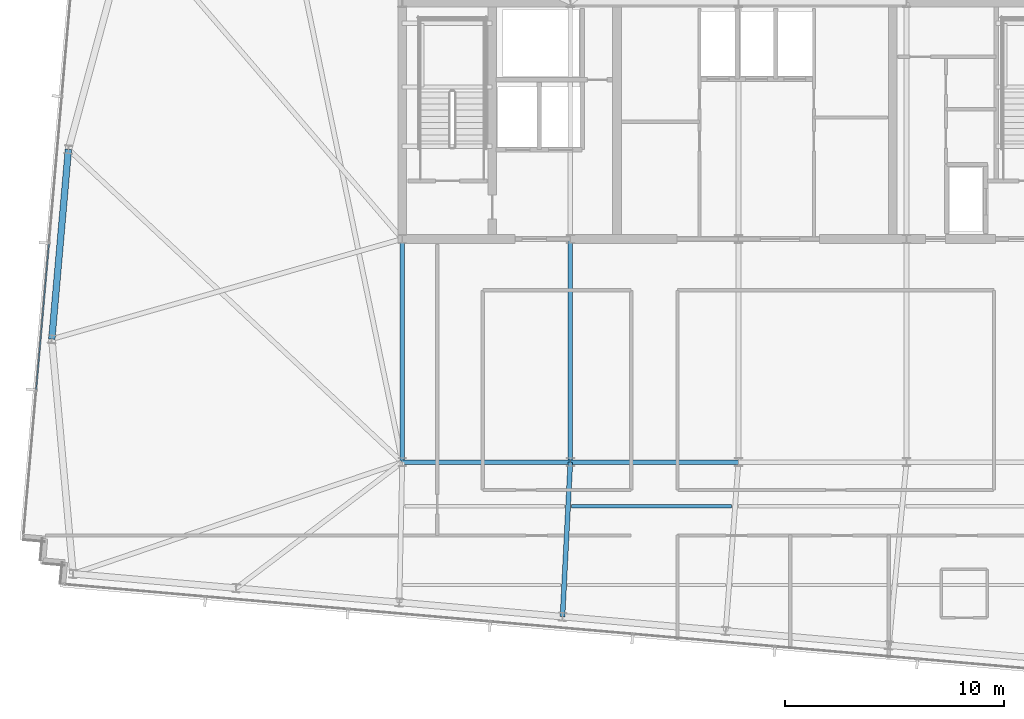
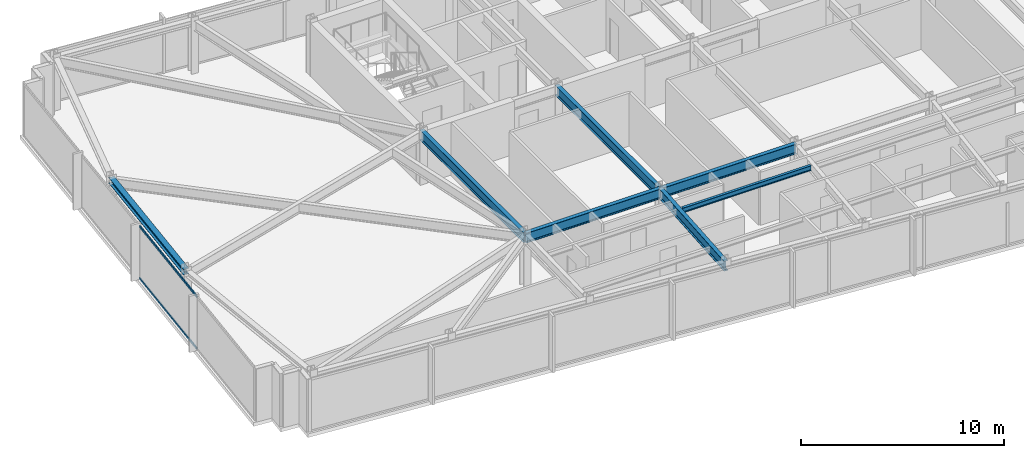
# One storey, part 8 of 32: 7 beams, 2 members, 1 element without a shape of its own.
"""IFC4 building model written with IfcOpenShell, lengths in metres."""

from ifc_helpers import new_model, si_unit, direction, frame, origin, origin_2d, place, context, subcontext, project, spatial, hollow_rectangle, i_section, extrude, material, material_profile, profile_set, type_object, element, aggregate, save


model = new_model("IFC4")

# Units and contexts
model_context = context("Model", 3, precision=1e-05, world=origin(), true_north=direction((0.0, 1.0)))
body_context = subcontext(model_context, "Body", "Model", "MODEL_VIEW")
ifc_project = project(units=[si_unit("LENGTHUNIT", "METRE"), si_unit("AREAUNIT", "SQUARE_METRE"), si_unit("VOLUMEUNIT", "CUBIC_METRE"), si_unit("PLANEANGLEUNIT", "RADIAN"), si_unit("MASSUNIT", "GRAM", prefix="KILO")], contexts=[model_context])

# Site, building, storey
site_placement = place(None, origin())
site = spatial("IfcSite", under=ifc_project, at=site_placement, CompositionType="ELEMENT")
building_placement = place(site_placement, origin())
building = spatial("IfcBuilding", under=site, at=building_placement, Name="Yelkora Congress Tower", CompositionType="ELEMENT")
storey_placement = place(building_placement, frame((0.0, 0.0, 279.5)))
storey = spatial("IfcBuildingStorey", under=building, at=storey_placement, Name="L78", CompositionType="ELEMENT", Elevation=279.5)

# Beams
ifc_material_1 = material(Name="Steel S355J2", Category="steel")
ifc_material_profile_1 = material_profile(ifc_material_1, i_section(OverallWidth=0.219970703125, OverallDepth=0.60009765625, WebThickness=0.011962890625, FlangeThickness=0.01904296875, FilletRadius=0.02392578125, at=origin_2d()), Name="IPE 600")
ifc_profile_set_1 = profile_set([ifc_material_profile_1], Name="Steel S355J2")
beam_type_1 = type_object("IfcBeamType", Name="BM-GIRD-IPE600", PredefinedType="BEAM", material=ifc_profile_set_1)
for number, where, z_axis, x_axis, name in (
    (1, (23.0400390625, 25.199951171875, 2.8798828125), (1.0, 0.0, 0.0), (0.0, 1.0, 0.0), "L78 Spine Grid D Girder 1"),
    (2, (30.719970703125, 25.199951171875, 2.8798828125), (1.0, 0.0, 0.0), (0.0, 1.0, 0.0), "L78 Spine Grid D Girder 2"),
):
    element("IfcBeam", number, at=place(storey_placement, frame(where, z_axis=z_axis, x_axis=x_axis)), inside=storey, type_object=beam_type_1, Name=name, PredefinedType="BEAM", context=body_context, shape_type="SweptSolid", body=[
        extrude(i_section(OverallWidth=0.219970703125, OverallDepth=0.60009765625, WebThickness=0.011962890625, FlangeThickness=0.01904296875, FilletRadius=0.02392578125, at=origin_2d()), origin(), (0.0, 0.0, 1.0), 7.679931640625),
    ])
for number, where, z_axis, x_axis, name in (
    (3, (23.0400390625, 25.199951171875, 2.8798828125), (0.0, 1.0, 0.0), (-1.0, 0.0, 0.0), "L78 Core Tie Girder MC-D1"),
    (4, (30.719970703125, 25.199951171875, 2.8798828125), (0.0, 1.0, 0.0), (-1.0, 0.0, 0.0), "L78 Core Tie Girder MC-D2"),
):
    element("IfcBeam", number, at=place(storey_placement, frame(where, z_axis=z_axis, x_axis=x_axis)), inside=storey, type_object=beam_type_1, Name=name, PredefinedType="BEAM", context=body_context, shape_type="SweptSolid", body=[
        extrude(i_section(OverallWidth=0.219970703125, OverallDepth=0.60009765625, WebThickness=0.011962890625, FlangeThickness=0.01904296875, FilletRadius=0.02392578125, at=origin_2d()), origin(), (0.0, 0.0, 1.0), 10.199951171875),
    ])
beam_1_placement = place(storey_placement, frame((30.362548828125, 18.14111328125, 2.8798828125), z_axis=(0.050569876836, 0.998720525251, 0.0), x_axis=(-0.998720525251, 0.050569876836, 0.0)))
element("IfcBeam", 5, at=beam_1_placement, inside=storey, type_object=beam_type_1, Name="L78 Primary Frame Girder S04", PredefinedType="BEAM", context=body_context, shape_type="SweptSolid", body=[
    extrude(i_section(OverallWidth=0.219970703125, OverallDepth=0.60009765625, WebThickness=0.011962890625, FlangeThickness=0.01904296875, FilletRadius=0.02392578125, at=origin_2d()), origin(), (0.0, 0.0, 1.0), 7.06787109375),
])
ifc_material_profile_2 = material_profile(ifc_material_1, i_section(OverallWidth=0.14990234375, OverallDepth=0.300048828125, WebThickness=0.007080078125, FlangeThickness=0.0107421875, FilletRadius=0.014892578125, at=origin_2d()), Name="IPE 300")
ifc_profile_set_2 = profile_set([ifc_material_profile_2], Name="Steel S355J2")
beam_type_2 = type_object("IfcBeamType", Name="BM-JOIST-IPE300", PredefinedType="JOIST", material=ifc_profile_set_2)
beam_2_placement = place(storey_placement, frame((30.778076171875, 23.1845703125, 3.030029296875), z_axis=(1.0, 0.0, 0.0), x_axis=(0.0, 1.0, 0.0)))
element("IfcBeam", 6, at=beam_2_placement, inside=storey, type_object=beam_type_2, Name="L78 Composite Floor Joist 6", PredefinedType="JOIST", context=body_context, shape_type="SweptSolid", body=[
    extrude(i_section(OverallWidth=0.14990234375, OverallDepth=0.300048828125, WebThickness=0.007080078125, FlangeThickness=0.0107421875, FilletRadius=0.014892578125, at=origin_2d()), origin(), (0.0, 0.0, 1.0), 7.3095703125),
])
ifc_material_profile_3 = material_profile(ifc_material_1, i_section(OverallWidth=0.300048828125, OverallDepth=0.340087890625, WebThickness=0.011962890625, FlangeThickness=0.021484375, FilletRadius=0.027099609375, at=origin_2d()), Name="HEB 340")
ifc_profile_set_3 = profile_set([ifc_material_profile_3], Name="Steel S355J2")
beam_type_3 = type_object("IfcBeamType", Name="BM-SPAN-HEB340", PredefinedType="SPANDREL", material=ifc_profile_set_3)
beam_3_placement = place(storey_placement, frame((7.787353515625, 39.489990234375, 3.010009765625), z_axis=(-0.08715998813, -0.99619432666, 0.0), x_axis=(0.99619432666, -0.08715998813, 0.0)))
element("IfcBeam", 7, at=beam_3_placement, inside=storey, type_object=beam_type_3, Name="L78 Perimeter Beam 14", PredefinedType="SPANDREL", context=body_context, shape_type="SweptSolid", body=[
    extrude(i_section(OverallWidth=0.300048828125, OverallDepth=0.340087890625, WebThickness=0.011962890625, FlangeThickness=0.021484375, FilletRadius=0.027099609375, at=origin_2d()), origin(), (0.0, 0.0, 1.0), 8.7001953125),
])

# Curtain wall, members
ifc_material_2 = material(Name="Anodised aluminium and insulated glass", Category="aluminium")
curtain_wall_type = type_object("IfcCurtainWallType", Name="CW-SYS-B5", PredefinedType="NOTDEFINED", material=ifc_material_2)
curtain_wall_placement = place(storey_placement, origin())
curtain_wall = element("IfcCurtainWall", 8, at=curtain_wall_placement, inside=storey, type_object=curtain_wall_type, Name="L78 Unitised Curtain Wall 5", PredefinedType="NOTDEFINED")
ifc_material_3 = material(Name="Anodised aluminium 6063-T6", Category="aluminium")
ifc_material_profile_4 = material_profile(ifc_material_3, hollow_rectangle(XDim=0.06005859375, YDim=0.1298828125, WallThickness=0.00390625, at=origin_2d()), Name="ALU 60x130x4")
ifc_profile_set_4 = profile_set([ifc_material_profile_4], Name="Anodised aluminium 6063-T6")
member_type = type_object("IfcMemberType", Name="MEM-TR-B5", PredefinedType="USERDEFINED", material=ifc_profile_set_4)
member_1_placement = place(storey_placement, frame((6.31640625, 28.529052734375, 0.030029296875), z_axis=(0.087182854761, 0.996192325726, 0.0), x_axis=(-0.996192325726, 0.087182854761, 0.0)))
member_1 = element("IfcMember", 9, at=member_1_placement, type_object=member_type, Name="CW-B5 transom 2.1", ObjectType="TRANSOM", PredefinedType="USERDEFINED", context=body_context, shape_type="SweptSolid", body=[
    extrude(hollow_rectangle(XDim=0.06005859375, YDim=0.1298828125, WallThickness=0.00390625, at=origin_2d()), origin(), (0.0, 0.0, 1.0), 6.664794921875),
])
member_2_placement = place(storey_placement, frame((6.31640625, 28.529052734375, 3.14990234375), z_axis=(0.087182854761, 0.996192325726, 0.0), x_axis=(-0.996192325726, 0.087182854761, 0.0)))
member_2 = element("IfcMember", 10, at=member_2_placement, type_object=member_type, Name="CW-B5 transom 2.2", ObjectType="TRANSOM", PredefinedType="USERDEFINED", context=body_context, shape_type="SweptSolid", body=[
    extrude(hollow_rectangle(XDim=0.06005859375, YDim=0.1298828125, WallThickness=0.00390625, at=origin_2d()), origin(), (0.0, 0.0, 1.0), 6.664794921875),
])
aggregate(curtain_wall, [member_1, member_2])

save(model, "model.ifc")
